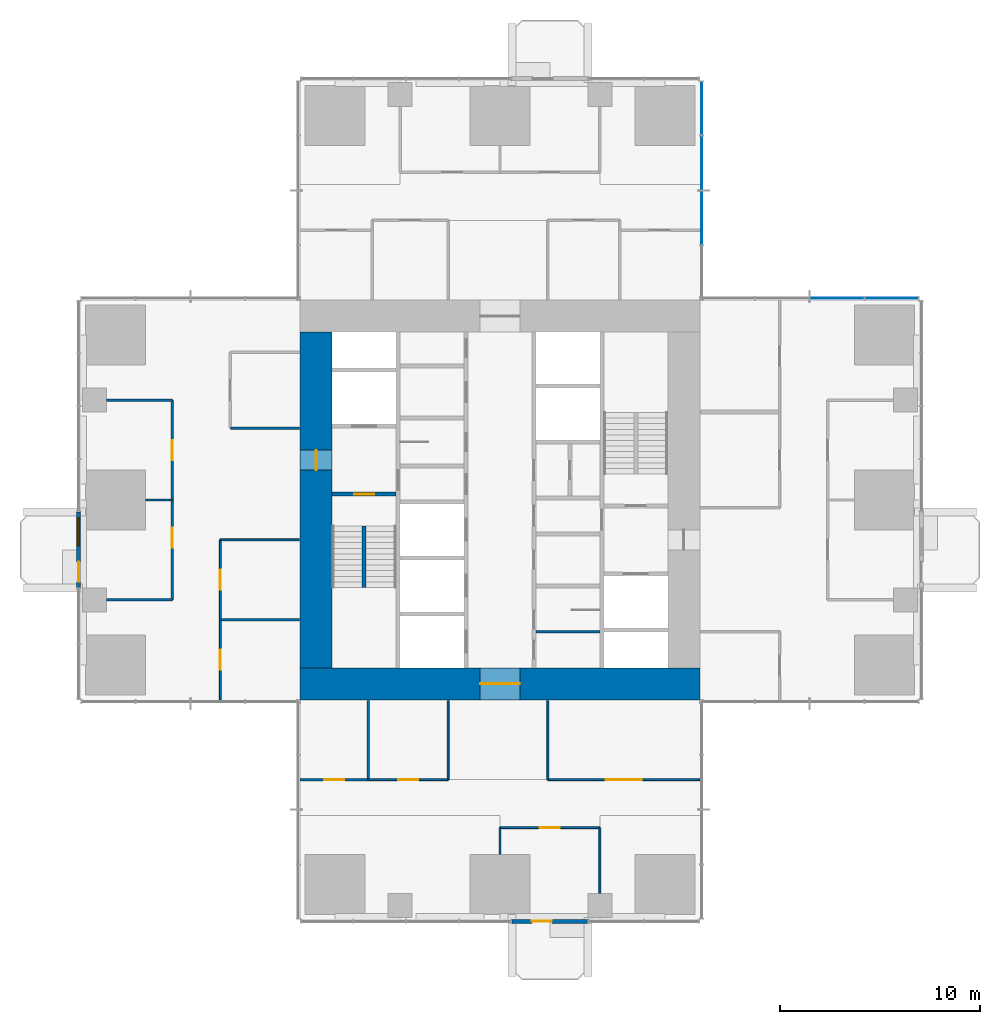
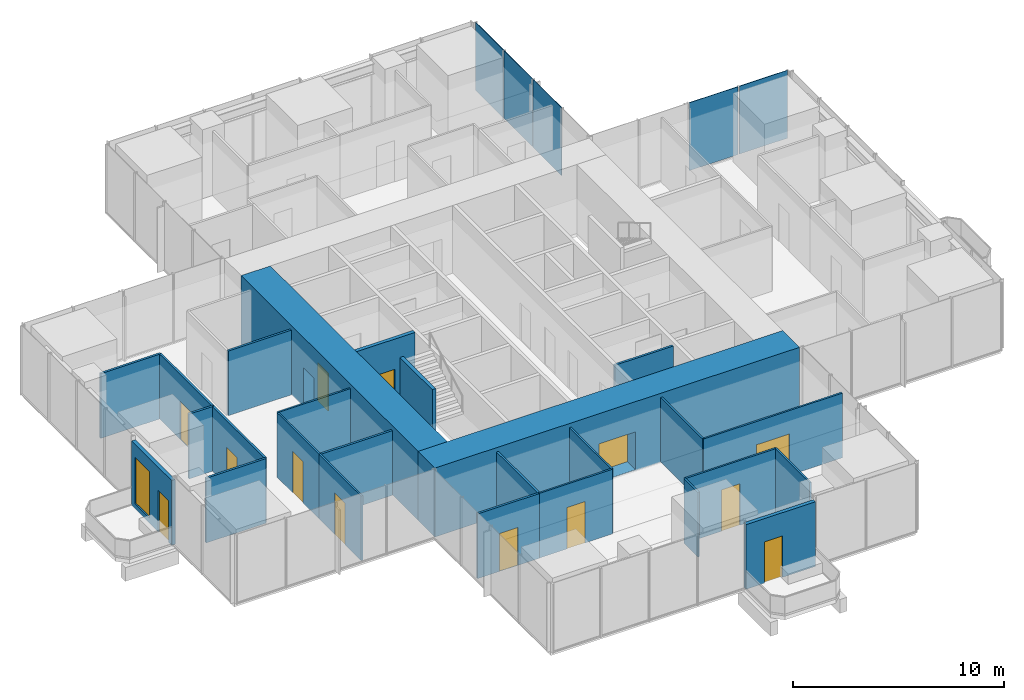
# One storey, part 8 of 14: 26 walls, 13 doors, 5 plates, 1 window, 14 openings, 2 elements without a shape of their own.
"""IFC4 building model written with IfcOpenShell, lengths in metres."""

import ifcopenshell
import ifcopenshell.guid

model = None  # the IFC model being written
_history = None  # IfcOwnerHistory: only IFC2X3 demands one
_inside = {}  # id of a spatial element -> (the spatial element, [elements in it])
_under = {}  # id of a project, library or spatial element -> (it, [spatial elements below it])
_declared = {}  # id of a project -> (the project, [libraries it declares])
_typed = {}  # id of a type object -> (the type object, [elements of that type])
_made_of = {}  # id of a material, layer set ... -> (it, [elements and type objects made of it])


def new_model(schema):
    """Start an empty IFC model of exactly this schema.

    Asked for "IFC4X3", IfcOpenShell would pick the latest addendum, in which some entities
    have other attributes; the version numbers below select the first issue.
    IFC2X3 requires an IfcOwnerHistory on every rooted entity: one is made here for all.
    """
    global model, _history
    if schema == "IFC4X3":
        model = ifcopenshell.file(schema_version=(4, 3, 0, 0))
    else:
        model = ifcopenshell.file(schema=schema)
    _inside.clear()
    _under.clear()
    _declared.clear()
    _typed.clear()
    _made_of.clear()
    _history = None
    if model.schema == "IFC2X3":
        org = make("IfcOrganization", Name="unknown")
        user = make(
            "IfcPersonAndOrganization",
            ThePerson=make("IfcPerson", FamilyName="unknown"),
            TheOrganization=org,
        )
        app = make(
            "IfcApplication",
            ApplicationDeveloper=org,
            Version="unknown",
            ApplicationFullName="unknown",
            ApplicationIdentifier="unknown",
        )
        _history = make(
            "IfcOwnerHistory",
            OwningUser=user,
            OwningApplication=app,
            ChangeAction="ADDED",
            CreationDate=0,
        )
    return model


def make(cls, **values):
    """One entity of the class cls with the attributes given. An attribute that is None is left unset."""
    return model.create_entity(
        cls, **{name: value for name, value in values.items() if value is not None}
    )


def rooted(cls, **values):
    """An entity with a GlobalId (a new one), such as an element, a storey or a relation."""
    return make(cls, GlobalId=ifcopenshell.guid.new(), OwnerHistory=_history, **values)


def si_unit(unit_type, name, prefix=None):
    """IfcSIUnit, for example si_unit("LENGTHUNIT", "METRE", prefix="MILLI")."""
    return make("IfcSIUnit", UnitType=unit_type, Prefix=prefix, Name=name)


def assignment(units):
    """IfcUnitAssignment: the units of a project."""
    return None if units is None else make("IfcUnitAssignment", Units=units)


def point(xyz):
    """IfcCartesianPoint."""
    return None if xyz is None else make("IfcCartesianPoint", Coordinates=xyz)


def direction(xyz):
    """IfcDirection."""
    return None if xyz is None else make("IfcDirection", DirectionRatios=xyz)


def frame(location, z_axis=None, x_axis=None):
    """IfcAxis2Placement3D, a coordinate frame: its origin and axes. An axis left out is left unset."""
    return make(
        "IfcAxis2Placement3D",
        Location=point(location),
        Axis=direction(z_axis),
        RefDirection=direction(x_axis),
    )


def frame_2d(location, x_axis=None):
    """IfcAxis2Placement2D, a coordinate frame in the plane: its origin and x axis."""
    return make(
        "IfcAxis2Placement2D", Location=point(location), RefDirection=direction(x_axis)
    )


def origin():
    """The frame at (0, 0, 0) with its axes left unset."""
    return frame((0.0, 0.0, 0.0))


def origin_2d():
    """The frame at (0, 0) in the plane with its x axis left unset."""
    return frame_2d((0.0, 0.0))


def place(relative_to, where):
    """IfcLocalPlacement: puts the frame where relative to a parent placement (None: the world)."""
    return make(
        "IfcLocalPlacement", PlacementRelTo=relative_to, RelativePlacement=where
    )


def context(
    kind, dimensions, precision=None, world=None, true_north=None, identifier=None
):
    """IfcGeometricRepresentationContext, for example the 3D "Model" context."""
    return make(
        "IfcGeometricRepresentationContext",
        ContextIdentifier=identifier,
        ContextType=kind,
        CoordinateSpaceDimension=dimensions,
        Precision=precision,
        WorldCoordinateSystem=world,
        TrueNorth=true_north,
    )


def subcontext(parent, identifier, kind, view, scale=None):
    """IfcGeometricRepresentationSubContext, for example "Body" below "Model"."""
    return make(
        "IfcGeometricRepresentationSubContext",
        ContextIdentifier=identifier,
        ContextType=kind,
        ParentContext=parent,
        TargetScale=scale,
        TargetView=view,
    )


def project(units=None, contexts=None):
    """IfcProject with its units and contexts."""
    return rooted(
        "IfcProject",
        Name="project",
        RepresentationContexts=contexts,
        UnitsInContext=assignment(units),
    )


def spatial(cls, under=None, at=None, **own):
    """A site, building, storey or space (cls), placed at a placement, below another one or the project."""
    s = rooted(cls, ObjectPlacement=at, **own)
    if under is not None:
        _under.setdefault(under.id(), (under, []))[1].append(s)
    return s


def profile(cls, at=None, kind="AREA", **sizes):
    """A parametric profile (cls). Its sizes go by their IFC names, for example OverallWidth=200.0."""
    return make(cls, ProfileType=kind, Position=at, **sizes)


def rectangle(**sizes):
    """IfcRectangleProfileDef."""
    return profile("IfcRectangleProfileDef", **sizes)


def extrude(swept, where, along, depth):
    """IfcExtrudedAreaSolid: the profile swept, set in the frame where, extruded along a direction by depth."""
    return make(
        "IfcExtrudedAreaSolid",
        SweptArea=swept,
        Position=where,
        ExtrudedDirection=direction(along),
        Depth=depth,
    )


def shape(context_of_items, identifier, shape_type, items):
    """IfcShapeRepresentation: the items that make up one representation, for example the "Body"."""
    return make(
        "IfcShapeRepresentation",
        ContextOfItems=context_of_items,
        RepresentationIdentifier=identifier,
        RepresentationType=shape_type,
        Items=items,
    )


def material(Name=None, Category=None):
    """IfcMaterial."""
    return make("IfcMaterial", Name=Name, Category=Category)


def layer(
    of_material, thickness, ventilated=None, Name=None, Category=None, Priority=None
):
    """IfcMaterialLayer: one layer of a wall or slab, of a material (None: an air gap)."""
    return make(
        "IfcMaterialLayer",
        Material=of_material,
        LayerThickness=thickness,
        IsVentilated=ventilated,
        Name=Name,
        Category=Category,
        Priority=Priority,
    )


def layer_set(layers, Name=None):
    """IfcMaterialLayerSet."""
    return make("IfcMaterialLayerSet", MaterialLayers=layers, LayerSetName=Name)


def made_of(thing, what):
    """Note that an element or type object is made of a material, layer set ...; save() writes the relation."""
    if what is not None:
        _made_of.setdefault(what.id(), (what, []))[1].append(thing)
    return thing


def type_object(cls, material=None, **own):
    """A type object (cls), such as IfcWallType, which elements share."""
    return made_of(rooted(cls, **own), material)


def element(
    cls,
    number,
    at=None,
    inside=None,
    cuts=None,
    type_object=None,
    material=None,
    context=None,
    identifier="Body",
    shape_type=None,
    held_by="IfcProductDefinitionShape",
    body=None,
    shapes=None,
    **own,
):
    """One element of the class cls, such as IfcWall. Its Tag is "e" and its number.

    at: its placement. inside: the storey or other place that contains it. cuts: it is an
    opening in that element (IfcRelVoidsElement). A single representation is given by context,
    identifier, shape_type and body (its items); several are given by shapes. held_by: the class
    of the entity that holds the representations. save() writes the other relations.
    """
    e = rooted(cls, Tag="e%d" % number, ObjectPlacement=at, **own)
    if body is not None:
        shapes = [shape(context, identifier, shape_type, body)]
    if shapes is not None:
        e.Representation = make(held_by, Representations=shapes)
    if inside is not None:
        _inside.setdefault(inside.id(), (inside, []))[1].append(e)
    if cuts is not None:
        rooted(
            "IfcRelVoidsElement", RelatingBuildingElement=cuts, RelatedOpeningElement=e
        )
    if type_object is not None:
        _typed.setdefault(type_object.id(), (type_object, []))[1].append(e)
    return made_of(e, material)


def fill(opening, filler):
    """IfcRelFillsElement: the door or window that sits in an opening."""
    return rooted(
        "IfcRelFillsElement",
        RelatingOpeningElement=opening,
        RelatedBuildingElement=filler,
    )


def aggregate(whole, parts):
    """IfcRelAggregates: a whole, such as a stair, and the parts it consists of."""
    return rooted("IfcRelAggregates", RelatingObject=whole, RelatedObjects=parts)


def save(model, path):
    """Write the relations noted so far, then the file.

    IfcRelAggregates (storeys below a building ...), IfcRelContainedInSpatialStructure (elements
    in a storey), IfcRelDefinesByType, IfcRelAssociatesMaterial and IfcRelDeclares: one each for
    every whole, place, type object, material and project.
    """
    for whole, parts in _under.values():
        aggregate(whole, parts)
    for where, things in _inside.values():
        rooted(
            "IfcRelContainedInSpatialStructure",
            RelatedElements=things,
            RelatingStructure=where,
        )
    for kind, things in _typed.values():
        rooted("IfcRelDefinesByType", RelatedObjects=things, RelatingType=kind)
    for what, things in _made_of.values():
        rooted("IfcRelAssociatesMaterial", RelatedObjects=things, RelatingMaterial=what)
    for by, libraries in _declared.values():
        rooted("IfcRelDeclares", RelatingContext=by, RelatedDefinitions=libraries)
    model.write(path)


model = new_model("IFC4")

# Units and contexts
model_context = context("Model", 3, precision=1e-05, world=origin(), true_north=direction((0.0, 1.0)))
body_context = subcontext(model_context, "Body", "Model", "MODEL_VIEW")
ifc_project = project(units=[si_unit("LENGTHUNIT", "METRE"), si_unit("AREAUNIT", "SQUARE_METRE"), si_unit("VOLUMEUNIT", "CUBIC_METRE"), si_unit("PLANEANGLEUNIT", "RADIAN"), si_unit("MASSUNIT", "GRAM", prefix="KILO")], contexts=[model_context])

# Site, building, storey
site_placement = place(None, origin())
site = spatial("IfcSite", under=ifc_project, at=site_placement, CompositionType="ELEMENT")
building_placement = place(site_placement, origin())
building = spatial("IfcBuilding", under=site, at=building_placement, Name="Svetlomir Tower", CompositionType="ELEMENT")
storey_placement = place(building_placement, frame((0.0, 0.0, 112.5)))
storey = spatial("IfcBuildingStorey", under=building, at=storey_placement, Name="L26", CompositionType="ELEMENT", Elevation=112.5)

# Curtain wall, plates
ifc_material_1 = material(Name="Bronze anodised aluminium curtain wall", Category="aluminium")
curtain_wall_type = type_object("IfcCurtainWallType", Name="CURTAIN WALL CW1 TOWER OFFICE", PredefinedType="NOTDEFINED", material=ifc_material_1)
curtain_wall_1_placement = place(storey_placement, origin())
curtain_wall_1 = element("IfcCurtainWall", 1, at=curtain_wall_1_placement, inside=storey, type_object=curtain_wall_type, Name="Curtain wall CW1 L26", PredefinedType="NOTDEFINED")
ifc_material_2 = material(Name="Tinted double glazed unit", Category="glass")
ifc_layer_1 = layer(ifc_material_2, 0.031982421875)
ifc_layer_set_1 = layer_set([ifc_layer_1], Name="Tinted double glazed unit")
plate_type = type_object("IfcPlateType", Name="CW1 GLAZED PANEL 32", PredefinedType="CURTAIN_PANEL", material=ifc_layer_set_1)
plate_1_placement = place(storey_placement, frame((40.608642578125, 31.10009765625, 0.06494140625), z_axis=(0.0, 0.0, 1.0), x_axis=(-1.0, 0.0, 0.0)))
plate_1 = element("IfcPlate", 2, at=plate_1_placement, type_object=plate_type, Name="CW1 panel 1.1", PredefinedType="CURTAIN_PANEL", context=body_context, shape_type="SweptSolid", body=[
    extrude(rectangle(XDim=2.652587890625, YDim=0.031982421875, at=origin_2d()), origin(), (0.0, 0.0, 1.0), 3.93505859375),
])
plate_2_placement = place(storey_placement, frame((37.875, 31.10009765625, 0.06494140625), z_axis=(0.0, 0.0, 1.0), x_axis=(-1.0, 0.0, 0.0)))
plate_2 = element("IfcPlate", 3, at=plate_2_placement, type_object=plate_type, Name="CW1 panel 2.1", PredefinedType="CURTAIN_PANEL", context=body_context, shape_type="SweptSolid", body=[
    extrude(rectangle(XDim=2.68505859375, YDim=0.031982421875, at=origin_2d()), origin(), (0.0, 0.0, 1.0), 3.93505859375),
])
aggregate(curtain_wall_1, [plate_1, plate_2])

curtain_wall_2_placement = place(storey_placement, origin())
curtain_wall_2 = element("IfcCurtainWall", 4, at=curtain_wall_2_placement, inside=storey, type_object=curtain_wall_type, Name="Curtain wall CW1 L26", PredefinedType="NOTDEFINED")
plate_3_placement = place(storey_placement, frame((31.10009765625, 35.125, 0.06494140625), z_axis=(0.0, 0.0, 1.0), x_axis=(0.0, 1.0, 0.0)))
plate_3 = element("IfcPlate", 5, at=plate_3_placement, type_object=plate_type, Name="CW1 panel 2.1", PredefinedType="CURTAIN_PANEL", context=body_context, shape_type="SweptSolid", body=[
    extrude(rectangle(XDim=2.68505859375, YDim=0.031982421875, at=origin_2d()), origin(), (0.0, 0.0, 1.0), 3.93505859375),
])
plate_4_placement = place(storey_placement, frame((31.10009765625, 37.875, 0.06494140625), z_axis=(0.0, 0.0, 1.0), x_axis=(0.0, 1.0, 0.0)))
plate_4 = element("IfcPlate", 6, at=plate_4_placement, type_object=plate_type, Name="CW1 panel 3.1", PredefinedType="CURTAIN_PANEL", context=body_context, shape_type="SweptSolid", body=[
    extrude(rectangle(XDim=2.68505859375, YDim=0.031982421875, at=origin_2d()), origin(), (0.0, 0.0, 1.0), 3.93505859375),
])
plate_5_placement = place(storey_placement, frame((31.10009765625, 40.608642578125, 0.06494140625), z_axis=(0.0, 0.0, 1.0), x_axis=(0.0, 1.0, 0.0)))
plate_5 = element("IfcPlate", 7, at=plate_5_placement, type_object=plate_type, Name="CW1 panel 4.1", PredefinedType="CURTAIN_PANEL", context=body_context, shape_type="SweptSolid", body=[
    extrude(rectangle(XDim=2.652587890625, YDim=0.031982421875, at=origin_2d()), origin(), (0.0, 0.0, 1.0), 3.93505859375),
])
aggregate(curtain_wall_2, [plate_3, plate_4, plate_5])

# Wall, opening, door
ifc_material_3 = material(Name="Bronze anodised aluminium glazed screen", Category="aluminium")
ifc_layer_2 = layer(ifc_material_3, 0.199951171875)
ifc_layer_set_2 = layer_set([ifc_layer_2], Name="Bronze anodised aluminium glazed screen")
wall_type_1 = type_object("IfcWallType", Name="BALCONY SCREEN WALL 200", PredefinedType="USERDEFINED", material=ifc_layer_set_2)
wall_1_placement = place(storey_placement, frame((21.60009765625, -0.10009765625, 0.0), z_axis=(0.0, 0.0, 1.0), x_axis=(1.0, 0.0, 0.0)))
wall_1 = element("IfcWall", 8, at=wall_1_placement, inside=storey, type_object=wall_type_1, Name="Balcony screen S", ObjectType="GLAZED SCREEN", PredefinedType="USERDEFINED", context=body_context, shape_type="SweptSolid", body=[
    extrude(rectangle(XDim=3.7998046875, YDim=0.199951171875, at=frame_2d((1.89990234375, 0.0))), origin(), (0.0, 0.0, 1.0), 3.75),
])
opening_1_placement = place(wall_1_placement, frame((1.0, 0.0, 0.0)))
opening_1 = element("IfcOpeningElement", 9, at=opening_1_placement, cuts=wall_1, Name="Opening BD", PredefinedType="OPENING", context=body_context, shape_type="SweptSolid", body=[
    extrude(rectangle(XDim=1.0, YDim=2.39990234375, at=frame_2d((0.5, 1.199951171875))), frame((0.0, 0.10986328125, 0.0), z_axis=(0.0, -1.0, 0.0), x_axis=(1.0, 0.0, 0.0)), (0.0, 0.0, 1.0), 0.219970703125),
])
ifc_material_4 = material(Name="Bronze anodised aluminium glazed door", Category="aluminium")
door_type_1 = type_object("IfcDoorType", Name="BALCONY DOOR BD 1000x2400", OperationType="SINGLE_SWING_LEFT", PredefinedType="DOOR", material=ifc_material_4)
door_1_placement = place(opening_1_placement, origin())
door_1 = element("IfcDoor", 10, at=door_1_placement, inside=storey, type_object=door_type_1, Name="Balcony screen S door", OperationType="SINGLE_SWING_LEFT", OverallHeight=2.39990234375, OverallWidth=1.0, PredefinedType="DOOR", context=body_context, shape_type="SweptSolid", body=[
    extrude(rectangle(XDim=1.0, YDim=2.39990234375, at=frame_2d((0.5, 1.199951171875))), frame((0.0, 0.02490234375, 0.0), z_axis=(0.0, -1.0, 0.0), x_axis=(1.0, 0.0, 0.0)), (0.0, 0.0, 1.0), 0.050048828125),
])
fill(opening_1, door_1)

# Wall, openings, door, window
wall_2_placement = place(storey_placement, frame((-0.10009765625, 20.39990234375, 0.0), z_axis=(0.0, 0.0, 1.0), x_axis=(0.0, -1.0, 0.0)))
wall_2 = element("IfcWall", 11, at=wall_2_placement, inside=storey, type_object=wall_type_1, Name="Balcony screen W", ObjectType="GLAZED SCREEN", PredefinedType="USERDEFINED", context=body_context, shape_type="SweptSolid", body=[
    extrude(rectangle(XDim=3.7998046875, YDim=0.199951171875, at=frame_2d((1.89990234375, 0.0))), origin(), (0.0, 0.0, 1.0), 3.75),
])
opening_2_placement = place(wall_2_placement, frame((2.5, 0.0, 0.0)))
opening_2 = element("IfcOpeningElement", 12, at=opening_2_placement, cuts=wall_2, Name="Opening BD", PredefinedType="OPENING", context=body_context, shape_type="SweptSolid", body=[
    extrude(rectangle(XDim=1.0, YDim=2.39990234375, at=frame_2d((0.5, 1.199951171875))), frame((0.0, 0.10986328125, 0.0), z_axis=(0.0, -1.0, 0.0), x_axis=(1.0, 0.0, 0.0)), (0.0, 0.0, 1.0), 0.219970703125),
])
opening_3_placement = place(wall_2_placement, frame((0.300048828125, 0.0, 0.300048828125)))
opening_3 = element("IfcOpeningElement", 13, at=opening_3_placement, cuts=wall_2, Name="Opening WS2", PredefinedType="OPENING", context=body_context, shape_type="SweptSolid", body=[
    extrude(rectangle(XDim=1.39990234375, YDim=2.699951171875, at=frame_2d((0.699951171875, 1.35009765625))), frame((0.0, 0.10986328125, 0.0), z_axis=(0.0, -1.0, 0.0), x_axis=(1.0, 0.0, 0.0)), (0.0, 0.0, 1.0), 0.219970703125),
])
door_2_placement = place(opening_2_placement, origin())
door_2 = element("IfcDoor", 14, at=door_2_placement, inside=storey, type_object=door_type_1, Name="Balcony screen W door", OperationType="SINGLE_SWING_LEFT", OverallHeight=2.39990234375, OverallWidth=1.0, PredefinedType="DOOR", context=body_context, shape_type="SweptSolid", body=[
    extrude(rectangle(XDim=1.0, YDim=2.39990234375, at=frame_2d((0.5, 1.199951171875))), frame((0.0, 0.02490234375, 0.0), z_axis=(0.0, -1.0, 0.0), x_axis=(1.0, 0.0, 0.0)), (0.0, 0.0, 1.0), 0.050048828125),
])
fill(opening_2, door_2)
ifc_material_5 = material(Name="Bronze anodised aluminium window", Category="aluminium")
window_type = type_object("IfcWindowType", Name="SCREEN WINDOW WS2 1400x2700", PartitioningType="SINGLE_PANEL", PredefinedType="WINDOW", material=ifc_material_5)
window_placement = place(opening_3_placement, origin())
window = element("IfcWindow", 15, at=window_placement, inside=storey, type_object=window_type, Name="Balcony screen W window 1", OverallHeight=2.699951171875, OverallWidth=1.39990234375, PartitioningType="SINGLE_PANEL", PredefinedType="WINDOW", context=body_context, shape_type="SweptSolid", body=[
    extrude(rectangle(XDim=1.39990234375, YDim=2.699951171875, at=frame_2d((0.699951171875, 1.35009765625))), frame((0.0, 0.030029296875, 0.0), z_axis=(0.0, -1.0, 0.0), x_axis=(1.0, 0.0, 0.0)), (0.0, 0.0, 1.0), 0.06005859375),
])
fill(opening_3, window)

# Wall, opening, door
ifc_material_6 = material(Name="Concrete C60/75", Category="concrete")
ifc_layer_3 = layer(ifc_material_6, 0.199951171875)
ifc_layer_set_3 = layer_set([ifc_layer_3], Name="Concrete C60/75")
wall_type_2 = type_object("IfcWallType", Name="CORE INNER WALL 200", PredefinedType="SHEAR", material=ifc_layer_set_3)
wall_3_placement = place(storey_placement, frame((12.60009765625, 21.300048828125, -0.050048828125), z_axis=(0.0, 0.0, 1.0), x_axis=(1.0, 0.0, 0.0)))
wall_3 = element("IfcWall", 16, at=wall_3_placement, inside=storey, type_object=wall_type_2, Name="Core inner wall 12.6-15.8/21.3 L26", PredefinedType="SHEAR", context=body_context, shape_type="SweptSolid", body=[
    extrude(rectangle(XDim=3.199951171875, YDim=0.199951171875, at=frame_2d((1.60009765625, 0.0))), origin(), (0.0, 0.0, 1.0), 4.0),
])
opening_4_placement = place(wall_3_placement, frame((1.10009765625, 0.0, 0.050048828125)))
opening_4 = element("IfcOpeningElement", 17, at=opening_4_placement, cuts=wall_3, Name="Opening DF", PredefinedType="OPENING", context=body_context, shape_type="SweptSolid", body=[
    extrude(rectangle(XDim=1.0, YDim=2.199951171875, at=frame_2d((0.5, 1.10009765625))), frame((0.0, 0.10986328125, 0.0), z_axis=(0.0, -1.0, 0.0), x_axis=(1.0, 0.0, 0.0)), (0.0, 0.0, 1.0), 0.219970703125),
])
ifc_material_7 = material(Name="Steel fire door", Category="steel")
door_type_2 = type_object("IfcDoorType", Name="DOOR DF 1000x2200", OperationType="SINGLE_SWING_LEFT", PredefinedType="DOOR", material=ifc_material_7)
door_3_placement = place(opening_4_placement, origin())
door_3 = element("IfcDoor", 18, at=door_3_placement, inside=storey, type_object=door_type_2, Name="Stair S1 door L26", OperationType="SINGLE_SWING_RIGHT", OverallHeight=2.199951171875, OverallWidth=1.0, PredefinedType="DOOR", context=body_context, shape_type="SweptSolid", body=[
    extrude(rectangle(XDim=1.0, YDim=2.199951171875, at=frame_2d((0.5, 1.10009765625))), frame((0.0, 0.02490234375, 0.0), z_axis=(0.0, -1.0, 0.0), x_axis=(1.0, 0.0, 0.0)), (0.0, 0.0, 1.0), 0.050048828125),
])
fill(opening_4, door_3)

ifc_material_8 = material(Name="Concrete C60/75", Category="concrete")
ifc_layer_4 = layer(ifc_material_8, 1.60009765625)
ifc_layer_set_4 = layer_set([ifc_layer_4], Name="Concrete C60/75")
wall_type_3 = type_object("IfcWallType", Name="CORE WALL 1600", PredefinedType="SHEAR", material=ifc_layer_set_4)
wall_4_placement = place(storey_placement, frame((11.0, 11.800048828125, -0.050048828125), z_axis=(0.0, 0.0, 1.0), x_axis=(1.0, 0.0, 0.0)))
wall_4 = element("IfcWall", 19, at=wall_4_placement, inside=storey, type_object=wall_type_3, Name="Core wall south L26", PredefinedType="SHEAR", context=body_context, shape_type="SweptSolid", body=[
    extrude(rectangle(XDim=20.0, YDim=1.60009765625, at=frame_2d((10.0, 0.0))), origin(), (0.0, 0.0, 1.0), 4.0),
])
opening_5_placement = place(wall_4_placement, frame((9.0, 0.0, 0.050048828125)))
opening_5 = element("IfcOpeningElement", 20, at=opening_5_placement, cuts=wall_4, Name="Opening DL", PredefinedType="OPENING", context=body_context, shape_type="SweptSolid", body=[
    extrude(rectangle(XDim=2.0, YDim=2.199951171875, at=frame_2d((1.0, 1.10009765625))), frame((0.0, 0.81005859375, 0.0), z_axis=(0.0, -1.0, 0.0), x_axis=(1.0, 0.0, 0.0)), (0.0, 0.0, 1.0), 1.6201171875),
])
ifc_material_9 = material(Name="Steel fire door", Category="steel")
door_type_3 = type_object("IfcDoorType", Name="DOOR DL 2000x2200", OperationType="DOUBLE_DOOR_SINGLE_SWING", PredefinedType="DOOR", material=ifc_material_9)
door_4_placement = place(opening_5_placement, origin())
door_4 = element("IfcDoor", 21, at=door_4_placement, inside=storey, type_object=door_type_3, Name="Lift lobby south door L26", OperationType="DOUBLE_DOOR_SINGLE_SWING", OverallHeight=2.199951171875, OverallWidth=2.0, PredefinedType="DOOR", context=body_context, shape_type="SweptSolid", body=[
    extrude(rectangle(XDim=2.0, YDim=2.199951171875, at=frame_2d((1.0, 1.10009765625))), frame((0.0, 0.02490234375, 0.0), z_axis=(0.0, -1.0, 0.0), x_axis=(1.0, 0.0, 0.0)), (0.0, 0.0, 1.0), 0.050048828125),
])
fill(opening_5, door_4)

wall_5_placement = place(storey_placement, frame((11.800048828125, 12.60009765625, -0.050048828125), z_axis=(0.0, 0.0, 1.0), x_axis=(0.0, 1.0, 0.0)))
wall_5 = element("IfcWall", 22, at=wall_5_placement, inside=storey, type_object=wall_type_3, Name="Core wall west L26", PredefinedType="SHEAR", context=body_context, shape_type="SweptSolid", body=[
    extrude(rectangle(XDim=16.7998046875, YDim=1.60009765625, at=frame_2d((8.39990234375, 0.0))), origin(), (0.0, 0.0, 1.0), 4.0),
])
opening_6_placement = place(wall_5_placement, frame((9.89990234375, 0.0, 0.050048828125)))
opening_6 = element("IfcOpeningElement", 23, at=opening_6_placement, cuts=wall_5, Name="Opening DF", PredefinedType="OPENING", context=body_context, shape_type="SweptSolid", body=[
    extrude(rectangle(XDim=1.0, YDim=2.199951171875, at=frame_2d((0.5, 1.10009765625))), frame((0.0, 0.81005859375, 0.0), z_axis=(0.0, -1.0, 0.0), x_axis=(1.0, 0.0, 0.0)), (0.0, 0.0, 1.0), 1.6201171875),
])
door_5_placement = place(opening_6_placement, origin())
door_5 = element("IfcDoor", 24, at=door_5_placement, inside=storey, type_object=door_type_2, Name="Firefighting lobby west door L26", OperationType="SINGLE_SWING_RIGHT", OverallHeight=2.199951171875, OverallWidth=1.0, PredefinedType="DOOR", context=body_context, shape_type="SweptSolid", body=[
    extrude(rectangle(XDim=1.0, YDim=2.199951171875, at=frame_2d((0.5, 1.10009765625))), frame((0.0, 0.02490234375, 0.0), z_axis=(0.0, -1.0, 0.0), x_axis=(1.0, 0.0, 0.0)), (0.0, 0.0, 1.0), 0.050048828125),
])
fill(opening_6, door_5)

ifc_material_10 = material(Name="Framed laminated glass partition", Category="glass")
ifc_layer_5 = layer(ifc_material_10, 0.10009765625)
ifc_layer_set_5 = layer_set([ifc_layer_5], Name="Framed laminated glass partition")
wall_type_4 = type_object("IfcWallType", Name="GLAZED PARTITION 100", PredefinedType="PARTITIONING", material=ifc_layer_set_5)
wall_6_placement = place(storey_placement, frame((7.0, 11.0, 0.0), z_axis=(0.0, 0.0, 1.0), x_axis=(0.0, 1.0, 0.0)))
wall_6 = element("IfcWall", 25, at=wall_6_placement, inside=storey, type_object=wall_type_4, Name="Glazed partition L26", PredefinedType="PARTITIONING", context=body_context, shape_type="SweptSolid", body=[
    extrude(rectangle(XDim=4.0, YDim=0.10009765625, at=frame_2d((2.0, 0.0))), origin(), (0.0, 0.0, 1.0), 3.75),
])
opening_7_placement = place(wall_6_placement, frame((1.5, 0.0, 0.0)))
opening_7 = element("IfcOpeningElement", 26, at=opening_7_placement, cuts=wall_6, Name="Opening DG", PredefinedType="OPENING", context=body_context, shape_type="SweptSolid", body=[
    extrude(rectangle(XDim=1.0, YDim=2.39990234375, at=frame_2d((0.5, 1.199951171875))), frame((0.0, 0.06005859375, 0.0), z_axis=(0.0, -1.0, 0.0), x_axis=(1.0, 0.0, 0.0)), (0.0, 0.0, 1.0), 0.1201171875),
])
ifc_material_11 = material(Name="Framed laminated glass door", Category="glass")
door_type_4 = type_object("IfcDoorType", Name="GLAZED DOOR DG 1000x2400", OperationType="SINGLE_SWING_LEFT", PredefinedType="DOOR", material=ifc_material_11)
door_6_placement = place(opening_7_placement, origin())
door_6 = element("IfcDoor", 27, at=door_6_placement, inside=storey, type_object=door_type_4, Name="Meeting room, 4 seats door L26", OperationType="SINGLE_SWING_RIGHT", OverallHeight=2.39990234375, OverallWidth=1.0, PredefinedType="DOOR", context=body_context, shape_type="SweptSolid", body=[
    extrude(rectangle(XDim=1.0, YDim=2.39990234375, at=frame_2d((0.5, 1.199951171875))), frame((0.0, 0.02490234375, 0.0), z_axis=(0.0, -1.0, 0.0), x_axis=(1.0, 0.0, 0.0)), (0.0, 0.0, 1.0), 0.050048828125),
])
fill(opening_7, door_6)

wall_7_placement = place(storey_placement, frame((7.0, 15.0, 0.0), z_axis=(0.0, 0.0, 1.0), x_axis=(0.0, 1.0, 0.0)))
wall_7 = element("IfcWall", 28, at=wall_7_placement, inside=storey, type_object=wall_type_4, Name="Glazed partition L26", PredefinedType="PARTITIONING", context=body_context, shape_type="SweptSolid", body=[
    extrude(rectangle(XDim=4.0, YDim=0.10009765625, at=frame_2d((2.0, 0.0))), origin(), (0.0, 0.0, 1.0), 3.75),
])
opening_8_placement = place(wall_7_placement, frame((1.5, 0.0, 0.0)))
opening_8 = element("IfcOpeningElement", 29, at=opening_8_placement, cuts=wall_7, Name="Opening DG", PredefinedType="OPENING", context=body_context, shape_type="SweptSolid", body=[
    extrude(rectangle(XDim=1.0, YDim=2.39990234375, at=frame_2d((0.5, 1.199951171875))), frame((0.0, 0.06005859375, 0.0), z_axis=(0.0, -1.0, 0.0), x_axis=(1.0, 0.0, 0.0)), (0.0, 0.0, 1.0), 0.1201171875),
])
door_7_placement = place(opening_8_placement, origin())
door_7 = element("IfcDoor", 30, at=door_7_placement, inside=storey, type_object=door_type_4, Name="Focus room 1 door L26", OperationType="SINGLE_SWING_LEFT", OverallHeight=2.39990234375, OverallWidth=1.0, PredefinedType="DOOR", context=body_context, shape_type="SweptSolid", body=[
    extrude(rectangle(XDim=1.0, YDim=2.39990234375, at=frame_2d((0.5, 1.199951171875))), frame((0.0, 0.02490234375, 0.0), z_axis=(0.0, -1.0, 0.0), x_axis=(1.0, 0.0, 0.0)), (0.0, 0.0, 1.0), 0.050048828125),
])
fill(opening_8, door_7)

# Wall
wall_8_placement = place(storey_placement, frame((7.0, 19.0, 0.0), z_axis=(0.0, 0.0, 1.0), x_axis=(1.0, 0.0, 0.0)))
element("IfcWall", 31, at=wall_8_placement, inside=storey, type_object=wall_type_4, Name="Glazed partition L26", PredefinedType="PARTITIONING", context=body_context, shape_type="SweptSolid", body=[
    extrude(rectangle(XDim=3.949951171875, YDim=0.10009765625, at=frame_2d((1.97509765625, 0.0))), origin(), (0.0, 0.0, 1.0), 3.75),
])

# Wall, opening, door
wall_9_placement = place(storey_placement, frame((14.39990234375, 7.0, 0.0), z_axis=(0.0, 0.0, 1.0), x_axis=(1.0, 0.0, 0.0)))
wall_9 = element("IfcWall", 32, at=wall_9_placement, inside=storey, type_object=wall_type_4, Name="Glazed partition L26", PredefinedType="PARTITIONING", context=body_context, shape_type="SweptSolid", body=[
    extrude(rectangle(XDim=4.0, YDim=0.10009765625, at=frame_2d((2.0, 0.0))), origin(), (0.0, 0.0, 1.0), 3.75),
])
opening_9_placement = place(wall_9_placement, frame((1.5, 0.0, 0.0)))
opening_9 = element("IfcOpeningElement", 33, at=opening_9_placement, cuts=wall_9, Name="Opening DG", PredefinedType="OPENING", context=body_context, shape_type="SweptSolid", body=[
    extrude(rectangle(XDim=1.0, YDim=2.39990234375, at=frame_2d((0.5, 1.199951171875))), frame((0.0, 0.06005859375, 0.0), z_axis=(0.0, -1.0, 0.0), x_axis=(1.0, 0.0, 0.0)), (0.0, 0.0, 1.0), 0.1201171875),
])
door_8_placement = place(opening_9_placement, origin())
door_8 = element("IfcDoor", 34, at=door_8_placement, inside=storey, type_object=door_type_4, Name="Witness interview room door L26", OperationType="SINGLE_SWING_RIGHT", OverallHeight=2.39990234375, OverallWidth=1.0, PredefinedType="DOOR", context=body_context, shape_type="SweptSolid", body=[
    extrude(rectangle(XDim=1.0, YDim=2.39990234375, at=frame_2d((0.5, 1.199951171875))), frame((0.0, 0.02490234375, 0.0), z_axis=(0.0, -1.0, 0.0), x_axis=(1.0, 0.0, 0.0)), (0.0, 0.0, 1.0), 0.050048828125),
])
fill(opening_9, door_8)

# Walls
wall_10_placement = place(storey_placement, frame((18.39990234375, 7.0, 0.0), z_axis=(0.0, 0.0, 1.0), x_axis=(0.0, 1.0, 0.0)))
element("IfcWall", 35, at=wall_10_placement, inside=storey, type_object=wall_type_4, Name="Glazed partition L26", PredefinedType="PARTITIONING", context=body_context, shape_type="SweptSolid", body=[
    extrude(rectangle(XDim=3.949951171875, YDim=0.10009765625, at=frame_2d((1.97509765625, 0.0))), origin(), (0.0, 0.0, 1.0), 3.75),
])
wall_11_placement = place(storey_placement, frame((21.0, 3.260009765625, 0.0), z_axis=(0.0, 0.0, 1.0), x_axis=(0.0, 1.0, 0.0)))
element("IfcWall", 36, at=wall_11_placement, inside=storey, type_object=wall_type_4, Name="Glazed partition L26", PredefinedType="PARTITIONING", context=body_context, shape_type="SweptSolid", body=[
    extrude(rectangle(XDim=1.340087890625, YDim=0.10009765625, at=frame_2d((0.669921875, 0.0))), origin(), (0.0, 0.0, 1.0), 3.75),
])

# Wall, opening, door
wall_12_placement = place(storey_placement, frame((21.0, 4.60009765625, 0.0), z_axis=(0.0, 0.0, 1.0), x_axis=(1.0, 0.0, 0.0)))
wall_12 = element("IfcWall", 37, at=wall_12_placement, inside=storey, type_object=wall_type_4, Name="Glazed partition L26", PredefinedType="PARTITIONING", context=body_context, shape_type="SweptSolid", body=[
    extrude(rectangle(XDim=5.0, YDim=0.10009765625, at=frame_2d((2.5, 0.0))), origin(), (0.0, 0.0, 1.0), 3.75),
])
opening_10_placement = place(wall_12_placement, frame((2.0, 0.0, 0.0)))
opening_10 = element("IfcOpeningElement", 38, at=opening_10_placement, cuts=wall_12, Name="Opening DG", PredefinedType="OPENING", context=body_context, shape_type="SweptSolid", body=[
    extrude(rectangle(XDim=1.0, YDim=2.39990234375, at=frame_2d((0.5, 1.199951171875))), frame((0.0, 0.06005859375, 0.0), z_axis=(0.0, -1.0, 0.0), x_axis=(1.0, 0.0, 0.0)), (0.0, 0.0, 1.0), 0.1201171875),
])
door_9_placement = place(opening_10_placement, origin())
door_9 = element("IfcDoor", 39, at=door_9_placement, inside=storey, type_object=door_type_4, Name="Legal break-out and kitchenette door L26", OperationType="SINGLE_SWING_RIGHT", OverallHeight=2.39990234375, OverallWidth=1.0, PredefinedType="DOOR", context=body_context, shape_type="SweptSolid", body=[
    extrude(rectangle(XDim=1.0, YDim=2.39990234375, at=frame_2d((0.5, 1.199951171875))), frame((0.0, 0.02490234375, 0.0), z_axis=(0.0, -1.0, 0.0), x_axis=(1.0, 0.0, 0.0)), (0.0, 0.0, 1.0), 0.050048828125),
])
fill(opening_10, door_9)

# Wall
wall_13_placement = place(storey_placement, frame((23.39990234375, 7.0, 0.0), z_axis=(0.0, 0.0, 1.0), x_axis=(0.0, 1.0, 0.0)))
element("IfcWall", 40, at=wall_13_placement, inside=storey, type_object=wall_type_4, Name="Glazed partition L26", PredefinedType="PARTITIONING", context=body_context, shape_type="SweptSolid", body=[
    extrude(rectangle(XDim=3.949951171875, YDim=0.10009765625, at=frame_2d((1.97509765625, 0.0))), origin(), (0.0, 0.0, 1.0), 3.75),
])

# Wall, opening, door
wall_14_placement = place(storey_placement, frame((23.39990234375, 7.0, 0.0), z_axis=(0.0, 0.0, 1.0), x_axis=(1.0, 0.0, 0.0)))
wall_14 = element("IfcWall", 41, at=wall_14_placement, inside=storey, type_object=wall_type_4, Name="Glazed partition L26", PredefinedType="PARTITIONING", context=body_context, shape_type="SweptSolid", body=[
    extrude(rectangle(XDim=7.60009765625, YDim=0.10009765625, at=frame_2d((3.800048828125, 0.0))), origin(), (0.0, 0.0, 1.0), 3.75),
])
opening_11_placement = place(wall_14_placement, frame((2.89990234375, 0.0, 0.0)))
opening_11 = element("IfcOpeningElement", 42, at=opening_11_placement, cuts=wall_14, Name="Opening DD", PredefinedType="OPENING", context=body_context, shape_type="SweptSolid", body=[
    extrude(rectangle(XDim=1.800048828125, YDim=2.39990234375, at=frame_2d((0.89990234375, 1.199951171875))), frame((0.0, 0.06005859375, 0.0), z_axis=(0.0, -1.0, 0.0), x_axis=(1.0, 0.0, 0.0)), (0.0, 0.0, 1.0), 0.1201171875),
])
ifc_material_12 = material(Name="Timber door", Category="wood")
door_type_5 = type_object("IfcDoorType", Name="DOOR DD 1800x2400", OperationType="DOUBLE_DOOR_SINGLE_SWING", PredefinedType="DOOR", material=ifc_material_12)
door_10_placement = place(opening_11_placement, origin())
door_10 = element("IfcDoor", 43, at=door_10_placement, inside=storey, type_object=door_type_5, Name="Contract negotiation room, 14 seats door L26", OperationType="DOUBLE_DOOR_SINGLE_SWING", OverallHeight=2.39990234375, OverallWidth=1.800048828125, PredefinedType="DOOR", context=body_context, shape_type="SweptSolid", body=[
    extrude(rectangle(XDim=1.800048828125, YDim=2.39990234375, at=frame_2d((0.89990234375, 1.199951171875))), frame((0.0, 0.02490234375, 0.0), z_axis=(0.0, -1.0, 0.0), x_axis=(1.0, 0.0, 0.0)), (0.0, 0.0, 1.0), 0.050048828125),
])
fill(opening_11, door_10)

# Walls
wall_15_placement = place(storey_placement, frame((26.0, 1.31005859375, 0.0), z_axis=(0.0, 0.0, 1.0), x_axis=(0.0, 1.0, 0.0)))
element("IfcWall", 44, at=wall_15_placement, inside=storey, type_object=wall_type_4, Name="Glazed partition L26", PredefinedType="PARTITIONING", context=body_context, shape_type="SweptSolid", body=[
    extrude(rectangle(XDim=3.2900390625, YDim=0.10009765625, at=frame_2d((1.64501953125, 0.0))), origin(), (0.0, 0.0, 1.0), 3.75),
])
ifc_material_13 = material(Name="Gypsum board on steel studs", Category="steel")
ifc_layer_6 = layer(ifc_material_13, 0.1201171875)
ifc_layer_set_6 = layer_set([ifc_layer_6], Name="Gypsum board on steel studs")
wall_type_5 = type_object("IfcWallType", Name="PARTITION 120", PredefinedType="PARTITIONING", material=ifc_layer_set_6)
wall_16_placement = place(storey_placement, frame((22.800048828125, 14.39990234375, 0.0), z_axis=(0.0, 0.0, 1.0), x_axis=(1.0, 0.0, 0.0)))
element("IfcWall", 45, at=wall_16_placement, inside=storey, type_object=wall_type_5, Name="Floor store partition L26", PredefinedType="PARTITIONING", context=body_context, shape_type="SweptSolid", body=[
    extrude(rectangle(XDim=3.199951171875, YDim=0.1201171875, at=frame_2d((1.60009765625, 0.0))), origin(), (0.0, 0.0, 1.0), 3.75),
])
for number, where, z_axis, x_axis, name in (
    (46, (1.31005859375, 16.0, 0.0), (0.0, 0.0, 1.0), (1.0, 0.0, 0.0), "Partition L26"),
    (47, (1.31005859375, 26.0, 0.0), (0.0, 0.0, 1.0), (1.0, 0.0, 0.0), "Partition L26"),
):
    element("IfcWall", number, at=place(storey_placement, frame(where, z_axis=z_axis, x_axis=x_axis)), inside=storey, type_object=wall_type_5, Name=name, PredefinedType="PARTITIONING", context=body_context, shape_type="SweptSolid", body=[
        extrude(rectangle(XDim=3.2900390625, YDim=0.1201171875, at=frame_2d((1.64501953125, 0.0))), origin(), (0.0, 0.0, 1.0), 3.75),
    ])
wall_17_placement = place(storey_placement, frame((3.260009765625, 21.0, 0.0), z_axis=(0.0, 0.0, 1.0), x_axis=(1.0, 0.0, 0.0)))
element("IfcWall", 48, at=wall_17_placement, inside=storey, type_object=wall_type_5, Name="Partition L26", PredefinedType="PARTITIONING", context=body_context, shape_type="SweptSolid", body=[
    extrude(rectangle(XDim=1.340087890625, YDim=0.1201171875, at=frame_2d((0.669921875, 0.0))), origin(), (0.0, 0.0, 1.0), 3.75),
])

# Wall, opening, door
wall_18_placement = place(storey_placement, frame((4.60009765625, 16.0, 0.0), z_axis=(0.0, 0.0, 1.0), x_axis=(0.0, 1.0, 0.0)))
wall_18 = element("IfcWall", 49, at=wall_18_placement, inside=storey, type_object=wall_type_5, Name="Partition L26", PredefinedType="PARTITIONING", context=body_context, shape_type="SweptSolid", body=[
    extrude(rectangle(XDim=5.0, YDim=0.1201171875, at=frame_2d((2.5, 0.0))), origin(), (0.0, 0.0, 1.0), 3.75),
])
opening_12_placement = place(wall_18_placement, frame((2.60009765625, 0.0, 0.0)))
opening_12 = element("IfcOpeningElement", 50, at=opening_12_placement, cuts=wall_18, Name="Opening DR", PredefinedType="OPENING", context=body_context, shape_type="SweptSolid", body=[
    extrude(rectangle(XDim=1.0, YDim=2.199951171875, at=frame_2d((0.5, 1.10009765625))), frame((0.0, 0.070068359375, 0.0), z_axis=(0.0, -1.0, 0.0), x_axis=(1.0, 0.0, 0.0)), (0.0, 0.0, 1.0), 0.14013671875),
])
ifc_material_14 = material(Name="Timber door, glazed side light", Category="wood")
door_type_6 = type_object("IfcDoorType", Name="DOOR DR 1000x2200", OperationType="SINGLE_SWING_LEFT", PredefinedType="DOOR", material=ifc_material_14)
door_11_placement = place(opening_12_placement, origin())
door_11 = element("IfcDoor", 51, at=door_11_placement, inside=storey, type_object=door_type_6, Name="Counsel office 1 door L26", OperationType="SINGLE_SWING_RIGHT", OverallHeight=2.199951171875, OverallWidth=1.0, PredefinedType="DOOR", context=body_context, shape_type="SweptSolid", body=[
    extrude(rectangle(XDim=1.0, YDim=2.199951171875, at=frame_2d((0.5, 1.10009765625))), frame((0.0, 0.02490234375, 0.0), z_axis=(0.0, -1.0, 0.0), x_axis=(1.0, 0.0, 0.0)), (0.0, 0.0, 1.0), 0.050048828125),
])
fill(opening_12, door_11)

wall_19_placement = place(storey_placement, frame((4.60009765625, 21.0, 0.0), z_axis=(0.0, 0.0, 1.0), x_axis=(0.0, 1.0, 0.0)))
wall_19 = element("IfcWall", 52, at=wall_19_placement, inside=storey, type_object=wall_type_5, Name="Partition L26", PredefinedType="PARTITIONING", context=body_context, shape_type="SweptSolid", body=[
    extrude(rectangle(XDim=5.0, YDim=0.1201171875, at=frame_2d((2.5, 0.0))), origin(), (0.0, 0.0, 1.0), 3.75),
])
opening_13_placement = place(wall_19_placement, frame((2.0, 0.0, 0.0)))
opening_13 = element("IfcOpeningElement", 53, at=opening_13_placement, cuts=wall_19, Name="Opening DR", PredefinedType="OPENING", context=body_context, shape_type="SweptSolid", body=[
    extrude(rectangle(XDim=1.0, YDim=2.199951171875, at=frame_2d((0.5, 1.10009765625))), frame((0.0, 0.070068359375, 0.0), z_axis=(0.0, -1.0, 0.0), x_axis=(1.0, 0.0, 0.0)), (0.0, 0.0, 1.0), 0.14013671875),
])
door_12_placement = place(opening_13_placement, origin())
door_12 = element("IfcDoor", 54, at=door_12_placement, inside=storey, type_object=door_type_6, Name="Senior counsel office door L26", OperationType="SINGLE_SWING_LEFT", OverallHeight=2.199951171875, OverallWidth=1.0, PredefinedType="DOOR", context=body_context, shape_type="SweptSolid", body=[
    extrude(rectangle(XDim=1.0, YDim=2.199951171875, at=frame_2d((0.5, 1.10009765625))), frame((0.0, 0.02490234375, 0.0), z_axis=(0.0, -1.0, 0.0), x_axis=(1.0, 0.0, 0.0)), (0.0, 0.0, 1.0), 0.050048828125),
])
fill(opening_13, door_12)

# Walls
wall_20_placement = place(storey_placement, frame((7.0, 15.0, 0.0), z_axis=(0.0, 0.0, 1.0), x_axis=(1.0, 0.0, 0.0)))
element("IfcWall", 55, at=wall_20_placement, inside=storey, type_object=wall_type_5, Name="Partition L26", PredefinedType="PARTITIONING", context=body_context, shape_type="SweptSolid", body=[
    extrude(rectangle(XDim=3.949951171875, YDim=0.1201171875, at=frame_2d((1.97509765625, 0.0))), origin(), (0.0, 0.0, 1.0), 3.75),
])
wall_21_placement = place(storey_placement, frame((7.5, 24.60009765625, 0.0), z_axis=(0.0, 0.0, 1.0), x_axis=(1.0, 0.0, 0.0)))
element("IfcWall", 56, at=wall_21_placement, inside=storey, type_object=wall_type_5, Name="Partition L26", PredefinedType="PARTITIONING", context=body_context, shape_type="SweptSolid", body=[
    extrude(rectangle(XDim=3.449951171875, YDim=0.1201171875, at=frame_2d((1.72509765625, 0.0))), origin(), (0.0, 0.0, 1.0), 3.75),
])

# Wall, opening, door
wall_22_placement = place(storey_placement, frame((11.0, 7.0, 0.0), z_axis=(0.0, 0.0, 1.0), x_axis=(1.0, 0.0, 0.0)))
wall_22 = element("IfcWall", 57, at=wall_22_placement, inside=storey, type_object=wall_type_5, Name="Partition L26", PredefinedType="PARTITIONING", context=body_context, shape_type="SweptSolid", body=[
    extrude(rectangle(XDim=3.39990234375, YDim=0.1201171875, at=frame_2d((1.699951171875, 0.0))), origin(), (0.0, 0.0, 1.0), 3.75),
])
opening_14_placement = place(wall_22_placement, frame((1.199951171875, 0.0, 0.0)))
opening_14 = element("IfcOpeningElement", 58, at=opening_14_placement, cuts=wall_22, Name="Opening DR", PredefinedType="OPENING", context=body_context, shape_type="SweptSolid", body=[
    extrude(rectangle(XDim=1.0, YDim=2.199951171875, at=frame_2d((0.5, 1.10009765625))), frame((0.0, 0.070068359375, 0.0), z_axis=(0.0, -1.0, 0.0), x_axis=(1.0, 0.0, 0.0)), (0.0, 0.0, 1.0), 0.14013671875),
])
door_13_placement = place(opening_14_placement, origin())
door_13 = element("IfcDoor", 59, at=door_13_placement, inside=storey, type_object=door_type_6, Name="Paralegals office door L26", OperationType="SINGLE_SWING_RIGHT", OverallHeight=2.199951171875, OverallWidth=1.0, PredefinedType="DOOR", context=body_context, shape_type="SweptSolid", body=[
    extrude(rectangle(XDim=1.0, YDim=2.199951171875, at=frame_2d((0.5, 1.10009765625))), frame((0.0, 0.02490234375, 0.0), z_axis=(0.0, -1.0, 0.0), x_axis=(1.0, 0.0, 0.0)), (0.0, 0.0, 1.0), 0.050048828125),
])
fill(opening_14, door_13)

# Walls
wall_23_placement = place(storey_placement, frame((14.39990234375, 7.0, 0.0), z_axis=(0.0, 0.0, 1.0), x_axis=(0.0, 1.0, 0.0)))
element("IfcWall", 60, at=wall_23_placement, inside=storey, type_object=wall_type_5, Name="Partition L26", PredefinedType="PARTITIONING", context=body_context, shape_type="SweptSolid", body=[
    extrude(rectangle(XDim=3.949951171875, YDim=0.1201171875, at=frame_2d((1.97509765625, 0.0))), origin(), (0.0, 0.0, 1.0), 3.75),
])
ifc_material_15 = material(Name="Concrete C60/75", Category="concrete")
ifc_layer_7 = layer(ifc_material_15, 0.199951171875)
ifc_layer_set_7 = layer_set([ifc_layer_7], Name="Concrete C60/75")
wall_type_6 = type_object("IfcWallType", Name="STAIR SPINE WALL 200", PredefinedType="PARTITIONING", material=ifc_layer_set_7)
wall_24_placement = place(storey_placement, frame((14.199951171875, 16.6201171875, 0.0), z_axis=(0.0, 0.0, 1.0), x_axis=(0.0, 1.0, 0.0)))
element("IfcWall", 61, at=wall_24_placement, inside=storey, type_object=wall_type_6, Name="Stair S1 spine wall L26", PredefinedType="PARTITIONING", context=body_context, shape_type="SweptSolid", body=[
    extrude(rectangle(XDim=3.079833984375, YDim=0.199951171875, at=frame_2d((1.5400390625, 0.0))), origin(), (0.0, 0.0, 1.0), 4.0),
])

save(model, "model.ifc")
